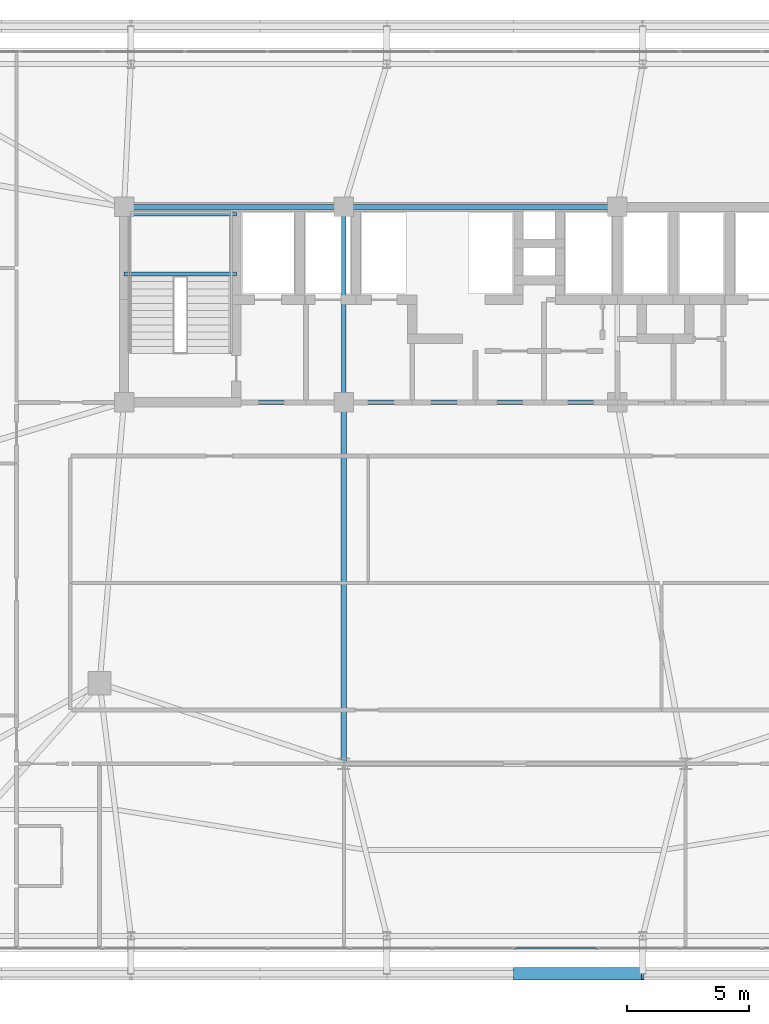
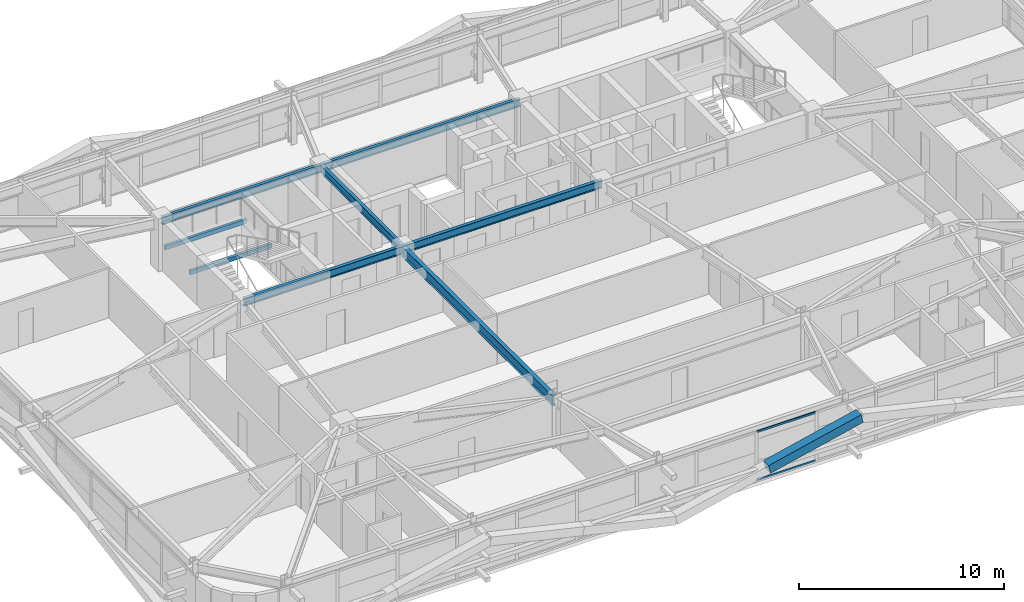
# One storey, part 19 of 59: 8 beams, 3 members, 1 element without a shape of its own.
"""IFC4 building model written with IfcOpenShell, lengths in metres."""

from ifc_helpers import new_model, si_unit, direction, frame, origin, origin_2d, place, context, subcontext, project, spatial, hollow_rectangle, i_section, extrude, source, transform, mapped, material, layer, layer_set, material_profile, profile_set, type_object, element, aggregate, save


model = new_model("IFC4")

# Units and contexts
model_context = context("Model", 3, precision=1e-05, world=origin(), true_north=direction((0.0, 1.0)))
body_context = subcontext(model_context, "Body", "Model", "MODEL_VIEW")
ifc_project = project(units=[si_unit("LENGTHUNIT", "METRE"), si_unit("AREAUNIT", "SQUARE_METRE"), si_unit("VOLUMEUNIT", "CUBIC_METRE"), si_unit("PLANEANGLEUNIT", "RADIAN"), si_unit("MASSUNIT", "GRAM", prefix="KILO")], contexts=[model_context])

# Site, building, storey
site_placement = place(None, origin())
site = spatial("IfcSite", under=ifc_project, at=site_placement, CompositionType="ELEMENT")
building_placement = place(site_placement, origin())
building = spatial("IfcBuilding", under=site, at=building_placement, Name="Taldren Reach Tower", CompositionType="ELEMENT")
storey_placement = place(building_placement, frame((0.0, 0.0, 29.39990234375)))
storey = spatial("IfcBuildingStorey", under=building, at=storey_placement, Name="L08", CompositionType="ELEMENT", Elevation=29.39990234375)

# Beams
ifc_material_1 = material(Name="Steel Gr 350 (350PLUS)", Category="steel")
ifc_material_profile_1 = material_profile(ifc_material_1, i_section(OverallWidth=0.19091796875, OverallDepth=0.4599609375, WebThickness=0.010009765625, FlangeThickness=0.01611328125, at=origin_2d()), Name="460UB82.1")
ifc_profile_set_1 = profile_set([ifc_material_profile_1], Name="Steel Gr 350 (350PLUS)")
beam_type_1 = type_object("IfcBeamType", Name="BM-UB460A", PredefinedType="BEAM", material=ifc_profile_set_1)
shared_shape_1 = source(origin(), body_context, "Body", "SweptSolid", [
    extrude(i_section(OverallWidth=0.19091796875, OverallDepth=0.4599609375, WebThickness=0.010009765625, FlangeThickness=0.01611328125, at=origin_2d()), origin(), (0.0, 0.0, 1.0), 9.0),
])
for number, where, z_axis, x_axis, name in (
    (1, (19.0, 24.0, 2.7001953125), (1.0, 0.0, 0.0), (0.0, 1.0, 0.0), "Core-spine girder L08-SP01"),
    (2, (19.0, 32.0, 2.7001953125), (1.0, 0.0, 0.0), (0.0, 1.0, 0.0), "Core-spine girder L08-SP04"),
):
    element("IfcBeam", number, at=place(storey_placement, frame(where, z_axis=z_axis, x_axis=x_axis)), inside=storey, type_object=beam_type_1, Name=name, PredefinedType="BEAM", context=body_context, shape_type="MappedRepresentation", body=[
        mapped(shared_shape_1, transform((0.0, 0.0, 0.0), scale=1.0)),
    ])
shared_shape_2 = source(origin(), body_context, "Body", "SweptSolid", [
    extrude(i_section(OverallWidth=0.19091796875, OverallDepth=0.4599609375, WebThickness=0.010009765625, FlangeThickness=0.01611328125, at=origin_2d()), origin(), (0.0, 0.0, 1.0), 11.199951171875),
])
for number, where, z_axis, x_axis, name in (
    (3, (28.0, 24.0, 2.7001953125), (1.0, 0.0, 0.0), (0.0, 1.0, 0.0), "Core-spine girder L08-SP02"),
    (4, (28.0, 32.0, 2.7001953125), (1.0, 0.0, 0.0), (0.0, 1.0, 0.0), "Core-spine girder L08-SP05"),
):
    element("IfcBeam", number, at=place(storey_placement, frame(where, z_axis=z_axis, x_axis=x_axis)), inside=storey, type_object=beam_type_1, Name=name, PredefinedType="BEAM", context=body_context, shape_type="MappedRepresentation", body=[
        mapped(shared_shape_2, transform((0.0, 0.0, 0.0), scale=1.0)),
    ])
shared_shape_3 = source(origin(), body_context, "Body", "SweptSolid", [
    extrude(i_section(OverallWidth=0.19091796875, OverallDepth=0.4599609375, WebThickness=0.010009765625, FlangeThickness=0.01611328125, at=origin_2d()), origin(), (0.0, 0.0, 1.0), 8.0),
])
beam_1_placement = place(storey_placement, frame((28.0, 24.0, 2.7001953125), z_axis=(0.0, 1.0, 0.0), x_axis=(-1.0, 0.0, 0.0)))
element("IfcBeam", 5, at=beam_1_placement, inside=storey, type_object=beam_type_1, Name="Core-spine girder L08-SP07", PredefinedType="BEAM", context=body_context, shape_type="MappedRepresentation", body=[
    mapped(shared_shape_3, transform((0.0, 0.0, 0.0), scale=1.0)),
])
ifc_material_profile_2 = material_profile(ifc_material_1, i_section(OverallWidth=0.22802734375, OverallDepth=0.60205078125, WebThickness=0.010498046875, FlangeThickness=0.014892578125, at=origin_2d()), Name="610UB101")
ifc_profile_set_2 = profile_set([ifc_material_profile_2], Name="Steel Gr 350 (350PLUS)")
beam_type_2 = type_object("IfcBeamType", Name="BM-UB610B", PredefinedType="BEAM", material=ifc_profile_set_2)
shared_shape_4 = source(origin(), body_context, "Body", "SweptSolid", [
    extrude(i_section(OverallWidth=0.22802734375, OverallDepth=0.60205078125, WebThickness=0.010498046875, FlangeThickness=0.014892578125, at=origin_2d()), origin(), (0.0, 0.0, 1.0), 14.800048828125),
])
beam_2_placement = place(storey_placement, frame((28.0, 24.0, 2.629150390625), z_axis=(0.0, -1.0, 0.0), x_axis=(1.0, 0.0, 0.0)))
element("IfcBeam", 6, at=beam_2_placement, inside=storey, type_object=beam_type_2, Name="Core-spine girder L08-SP14", PredefinedType="BEAM", context=body_context, shape_type="MappedRepresentation", body=[
    mapped(shared_shape_4, transform((0.0, 0.0, 0.0), scale=1.0)),
])

# Member
ifc_material_2 = material(Name="Steel Gr 450 (C450L0)", Category="steel")
ifc_material_profile_3 = material_profile(ifc_material_2, hollow_rectangle(XDim=0.510009765625, YDim=0.510009765625, WallThickness=0.02001953125, at=origin_2d()), Name="510x510x20.0SHS")
ifc_profile_set_3 = profile_set([ifc_material_profile_3], Name="Steel Gr 450 (C450L0)")
member_type_1 = type_object("IfcMemberType", Name="MB-EXO508", PredefinedType="BRACE", material=ifc_profile_set_3)
shared_shape_5 = source(origin(), body_context, "Body", "SweptSolid", [
    extrude(hollow_rectangle(XDim=0.510009765625, YDim=0.510009765625, WallThickness=0.02001953125, at=origin_2d()), origin(), (0.0, 0.0, 1.0), 5.37890625),
])
member_1_placement = place(storey_placement, frame((35.0, 0.60009765625, 1.43505859375), z_axis=(0.97415197996, 0.0, 0.225893603143), x_axis=(0.0, 1.0, 0.0)))
element("IfcMember", 7, at=member_1_placement, inside=storey, type_object=member_type_1, Name="Exoskeleton Diagrid Brace B1-S3 L08", PredefinedType="BRACE", context=body_context, shape_type="MappedRepresentation", body=[
    mapped(shared_shape_5, transform((0.0, 0.0, 0.0), scale=1.0)),
])

# Curtain wall, members
ifc_material_3 = material(Name="Aluminium and Low-E Glass Unitised System", Category="aluminium")
ifc_layer = layer(ifc_material_3, 0.159912109375)
ifc_layer_set = layer_set([ifc_layer], Name="Aluminium and Low-E Glass Unitised System")
curtain_wall_type = type_object("IfcCurtainWallType", Name="CW-SYS-2", PredefinedType="NOTDEFINED", material=ifc_layer_set)
curtain_wall_placement = place(storey_placement, origin())
curtain_wall = element("IfcCurtainWall", 8, at=curtain_wall_placement, inside=storey, type_object=curtain_wall_type, Name="Unitised curtain wall CW-L08-S", PredefinedType="NOTDEFINED")
ifc_material_4 = material(Name="Anodised Aluminium 6063-T6", Category="aluminium")
ifc_material_profile_4 = material_profile(ifc_material_4, hollow_rectangle(XDim=0.054931640625, YDim=0.1201171875, WallThickness=0.0029296875, at=origin_2d()), Name="ALU-120x55x3RHS")
ifc_profile_set_4 = profile_set([ifc_material_profile_4], Name="Anodised Aluminium 6063-T6")
member_type_2 = type_object("IfcMemberType", Name="CW-TRN-135", PredefinedType="USERDEFINED", material=ifc_profile_set_4)
shared_shape_6 = source(origin(), body_context, "Body", "SweptSolid", [
    extrude(hollow_rectangle(XDim=0.054931640625, YDim=0.1201171875, WallThickness=0.0029296875, at=origin_2d()), origin(), (0.0, 0.0, 1.0), 3.31005859375),
])
member_2_placement = place(storey_placement, frame((35.032470703125, 1.639892578125, 0.027587890625), z_axis=(1.0, 0.0, 0.0), x_axis=(0.0, 1.0, 0.0)))
member_2 = element("IfcMember", 9, at=member_2_placement, type_object=member_type_2, Name="CW-2 transom 9.1", ObjectType="TRANSOM", PredefinedType="USERDEFINED", context=body_context, shape_type="MappedRepresentation", body=[
    mapped(shared_shape_6, transform((0.0, 0.0, 0.0), scale=1.0)),
])
member_3_placement = place(storey_placement, frame((35.032470703125, 1.639892578125, 2.902587890625), z_axis=(1.0, 0.0, 0.0), x_axis=(0.0, 1.0, 0.0)))
member_3 = element("IfcMember", 10, at=member_3_placement, type_object=member_type_2, Name="CW-2 transom 9.2", ObjectType="TRANSOM", PredefinedType="USERDEFINED", context=body_context, shape_type="MappedRepresentation", body=[
    mapped(shared_shape_6, transform((0.0, 0.0, 0.0), scale=1.0)),
])
aggregate(curtain_wall, [member_2, member_3])

# Beams
ifc_material_5 = material(Name="Steel Gr 350 (C350L0)", Category="steel")
ifc_material_profile_5 = material_profile(ifc_material_5, hollow_rectangle(XDim=0.14990234375, YDim=0.25, WallThickness=0.009033203125, at=origin_2d()), Name="250x150x9.0RHS")
ifc_profile_set_5 = profile_set([ifc_material_profile_5], Name="Steel Gr 350 (C350L0)")
beam_type_3 = type_object("IfcBeamType", Name="LN-RHS250", PredefinedType="LINTEL", material=ifc_profile_set_5)
shared_shape_7 = source(origin(), body_context, "Body", "SweptSolid", [
    extrude(hollow_rectangle(XDim=0.14990234375, YDim=0.25, WallThickness=0.009033203125, at=origin_2d()), origin(), (0.0, 0.0, 1.0), 4.60009765625),
])
for number, where, z_axis, x_axis, name in (
    (11, (19.0, 29.2548828125, 1.27001953125), (1.0, 0.0, 0.0), (0.0, 1.0, 0.0), "Stair half-landing support beam ST1-L08-1"),
    (12, (19.0, 31.699951171875, 1.27001953125), (1.0, 0.0, 0.0), (0.0, 1.0, 0.0), "Stair half-landing support beam ST1-L08-2"),
):
    element("IfcBeam", number, at=place(storey_placement, frame(where, z_axis=z_axis, x_axis=x_axis)), inside=storey, type_object=beam_type_3, Name=name, PredefinedType="LINTEL", context=body_context, shape_type="MappedRepresentation", body=[
        mapped(shared_shape_7, transform((0.0, 0.0, 0.0), scale=1.0)),
    ])

save(model, "model.ifc")
